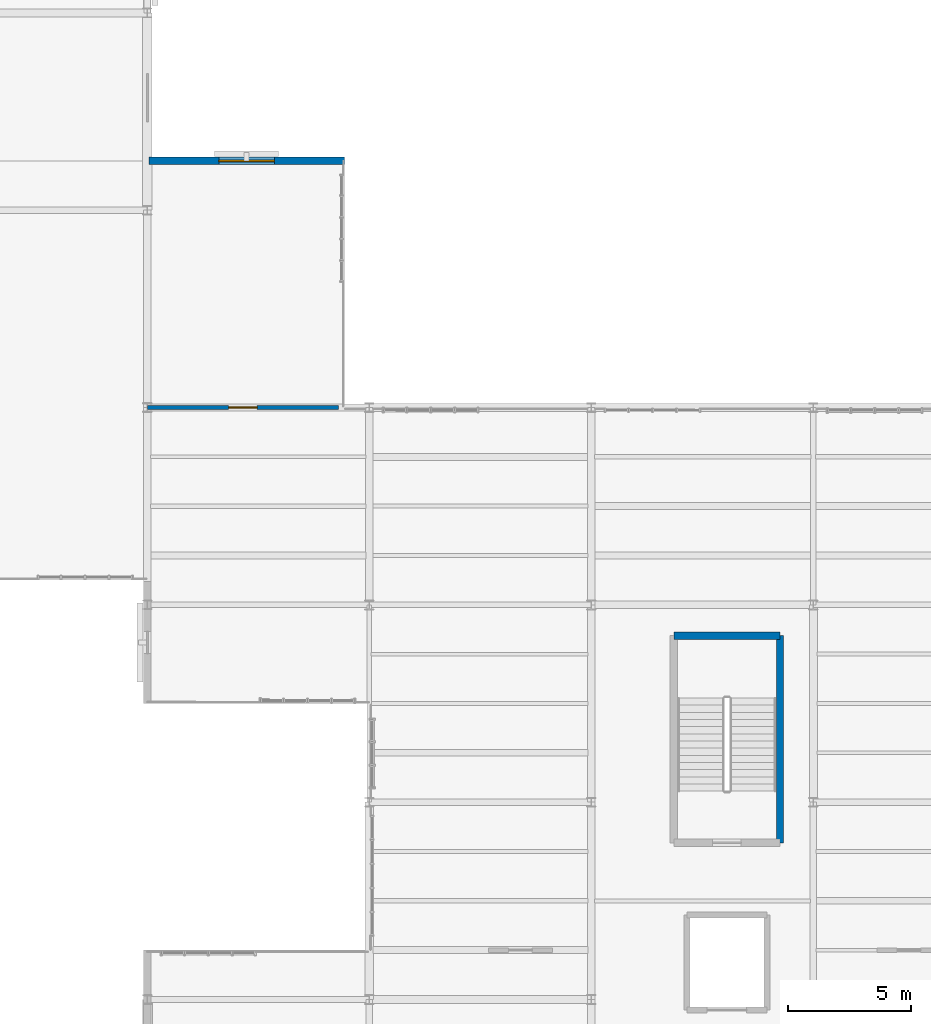
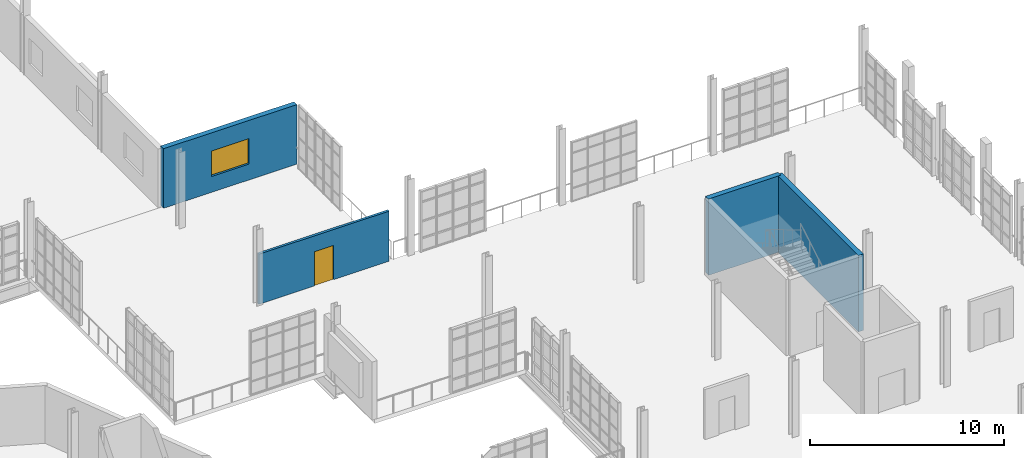
# One storey, part 101 of 122: 4 walls, 1 door, 1 window, 2 openings.
"""IFC4 building model written with IfcOpenShell, lengths in metres."""

import ifcopenshell
import ifcopenshell.guid

model = None  # the IFC model being written
_history = None  # IfcOwnerHistory: only IFC2X3 demands one
_inside = {}  # id of a spatial element -> (the spatial element, [elements in it])
_under = {}  # id of a project, library or spatial element -> (it, [spatial elements below it])
_declared = {}  # id of a project -> (the project, [libraries it declares])
_typed = {}  # id of a type object -> (the type object, [elements of that type])
_made_of = {}  # id of a material, layer set ... -> (it, [elements and type objects made of it])


def new_model(schema):
    """Start an empty IFC model of exactly this schema.

    Asked for "IFC4X3", IfcOpenShell would pick the latest addendum, in which some entities
    have other attributes; the version numbers below select the first issue.
    IFC2X3 requires an IfcOwnerHistory on every rooted entity: one is made here for all.
    """
    global model, _history
    if schema == "IFC4X3":
        model = ifcopenshell.file(schema_version=(4, 3, 0, 0))
    else:
        model = ifcopenshell.file(schema=schema)
    _inside.clear()
    _under.clear()
    _declared.clear()
    _typed.clear()
    _made_of.clear()
    _history = None
    if model.schema == "IFC2X3":
        org = make("IfcOrganization", Name="unknown")
        user = make(
            "IfcPersonAndOrganization",
            ThePerson=make("IfcPerson", FamilyName="unknown"),
            TheOrganization=org,
        )
        app = make(
            "IfcApplication",
            ApplicationDeveloper=org,
            Version="unknown",
            ApplicationFullName="unknown",
            ApplicationIdentifier="unknown",
        )
        _history = make(
            "IfcOwnerHistory",
            OwningUser=user,
            OwningApplication=app,
            ChangeAction="ADDED",
            CreationDate=0,
        )
    return model


def make(cls, **values):
    """One entity of the class cls with the attributes given. An attribute that is None is left unset."""
    return model.create_entity(
        cls, **{name: value for name, value in values.items() if value is not None}
    )


def rooted(cls, **values):
    """An entity with a GlobalId (a new one), such as an element, a storey or a relation."""
    return make(cls, GlobalId=ifcopenshell.guid.new(), OwnerHistory=_history, **values)


def si_unit(unit_type, name, prefix=None):
    """IfcSIUnit, for example si_unit("LENGTHUNIT", "METRE", prefix="MILLI")."""
    return make("IfcSIUnit", UnitType=unit_type, Prefix=prefix, Name=name)


def assignment(units):
    """IfcUnitAssignment: the units of a project."""
    return None if units is None else make("IfcUnitAssignment", Units=units)


def point(xyz):
    """IfcCartesianPoint."""
    return None if xyz is None else make("IfcCartesianPoint", Coordinates=xyz)


def direction(xyz):
    """IfcDirection."""
    return None if xyz is None else make("IfcDirection", DirectionRatios=xyz)


def frame(location, z_axis=None, x_axis=None):
    """IfcAxis2Placement3D, a coordinate frame: its origin and axes. An axis left out is left unset."""
    return make(
        "IfcAxis2Placement3D",
        Location=point(location),
        Axis=direction(z_axis),
        RefDirection=direction(x_axis),
    )


def frame_2d(location, x_axis=None):
    """IfcAxis2Placement2D, a coordinate frame in the plane: its origin and x axis."""
    return make(
        "IfcAxis2Placement2D", Location=point(location), RefDirection=direction(x_axis)
    )


def origin():
    """The frame at (0, 0, 0) with its axes left unset."""
    return frame((0.0, 0.0, 0.0))


def place(relative_to, where):
    """IfcLocalPlacement: puts the frame where relative to a parent placement (None: the world)."""
    return make(
        "IfcLocalPlacement", PlacementRelTo=relative_to, RelativePlacement=where
    )


def context(
    kind, dimensions, precision=None, world=None, true_north=None, identifier=None
):
    """IfcGeometricRepresentationContext, for example the 3D "Model" context."""
    return make(
        "IfcGeometricRepresentationContext",
        ContextIdentifier=identifier,
        ContextType=kind,
        CoordinateSpaceDimension=dimensions,
        Precision=precision,
        WorldCoordinateSystem=world,
        TrueNorth=true_north,
    )


def subcontext(parent, identifier, kind, view, scale=None):
    """IfcGeometricRepresentationSubContext, for example "Body" below "Model"."""
    return make(
        "IfcGeometricRepresentationSubContext",
        ContextIdentifier=identifier,
        ContextType=kind,
        ParentContext=parent,
        TargetScale=scale,
        TargetView=view,
    )


def project(units=None, contexts=None):
    """IfcProject with its units and contexts."""
    return rooted(
        "IfcProject",
        Name="project",
        RepresentationContexts=contexts,
        UnitsInContext=assignment(units),
    )


def spatial(cls, under=None, at=None, **own):
    """A site, building, storey or space (cls), placed at a placement, below another one or the project."""
    s = rooted(cls, ObjectPlacement=at, **own)
    if under is not None:
        _under.setdefault(under.id(), (under, []))[1].append(s)
    return s


def profile(cls, at=None, kind="AREA", **sizes):
    """A parametric profile (cls). Its sizes go by their IFC names, for example OverallWidth=200.0."""
    return make(cls, ProfileType=kind, Position=at, **sizes)


def rectangle(**sizes):
    """IfcRectangleProfileDef."""
    return profile("IfcRectangleProfileDef", **sizes)


def extrude(swept, where, along, depth):
    """IfcExtrudedAreaSolid: the profile swept, set in the frame where, extruded along a direction by depth."""
    return make(
        "IfcExtrudedAreaSolid",
        SweptArea=swept,
        Position=where,
        ExtrudedDirection=direction(along),
        Depth=depth,
    )


def shape(context_of_items, identifier, shape_type, items):
    """IfcShapeRepresentation: the items that make up one representation, for example the "Body"."""
    return make(
        "IfcShapeRepresentation",
        ContextOfItems=context_of_items,
        RepresentationIdentifier=identifier,
        RepresentationType=shape_type,
        Items=items,
    )


def material(Name=None, Category=None):
    """IfcMaterial."""
    return make("IfcMaterial", Name=Name, Category=Category)


def layer(
    of_material, thickness, ventilated=None, Name=None, Category=None, Priority=None
):
    """IfcMaterialLayer: one layer of a wall or slab, of a material (None: an air gap)."""
    return make(
        "IfcMaterialLayer",
        Material=of_material,
        LayerThickness=thickness,
        IsVentilated=ventilated,
        Name=Name,
        Category=Category,
        Priority=Priority,
    )


def layer_set(layers, Name=None):
    """IfcMaterialLayerSet."""
    return make("IfcMaterialLayerSet", MaterialLayers=layers, LayerSetName=Name)


def made_of(thing, what):
    """Note that an element or type object is made of a material, layer set ...; save() writes the relation."""
    if what is not None:
        _made_of.setdefault(what.id(), (what, []))[1].append(thing)
    return thing


def type_object(cls, material=None, **own):
    """A type object (cls), such as IfcWallType, which elements share."""
    return made_of(rooted(cls, **own), material)


def element(
    cls,
    number,
    at=None,
    inside=None,
    cuts=None,
    type_object=None,
    material=None,
    context=None,
    identifier="Body",
    shape_type=None,
    held_by="IfcProductDefinitionShape",
    body=None,
    shapes=None,
    **own,
):
    """One element of the class cls, such as IfcWall. Its Tag is "e" and its number.

    at: its placement. inside: the storey or other place that contains it. cuts: it is an
    opening in that element (IfcRelVoidsElement). A single representation is given by context,
    identifier, shape_type and body (its items); several are given by shapes. held_by: the class
    of the entity that holds the representations. save() writes the other relations.
    """
    e = rooted(cls, Tag="e%d" % number, ObjectPlacement=at, **own)
    if body is not None:
        shapes = [shape(context, identifier, shape_type, body)]
    if shapes is not None:
        e.Representation = make(held_by, Representations=shapes)
    if inside is not None:
        _inside.setdefault(inside.id(), (inside, []))[1].append(e)
    if cuts is not None:
        rooted(
            "IfcRelVoidsElement", RelatingBuildingElement=cuts, RelatedOpeningElement=e
        )
    if type_object is not None:
        _typed.setdefault(type_object.id(), (type_object, []))[1].append(e)
    return made_of(e, material)


def fill(opening, filler):
    """IfcRelFillsElement: the door or window that sits in an opening."""
    return rooted(
        "IfcRelFillsElement",
        RelatingOpeningElement=opening,
        RelatedBuildingElement=filler,
    )


def aggregate(whole, parts):
    """IfcRelAggregates: a whole, such as a stair, and the parts it consists of."""
    return rooted("IfcRelAggregates", RelatingObject=whole, RelatedObjects=parts)


def save(model, path):
    """Write the relations noted so far, then the file.

    IfcRelAggregates (storeys below a building ...), IfcRelContainedInSpatialStructure (elements
    in a storey), IfcRelDefinesByType, IfcRelAssociatesMaterial and IfcRelDeclares: one each for
    every whole, place, type object, material and project.
    """
    for whole, parts in _under.values():
        aggregate(whole, parts)
    for where, things in _inside.values():
        rooted(
            "IfcRelContainedInSpatialStructure",
            RelatedElements=things,
            RelatingStructure=where,
        )
    for kind, things in _typed.values():
        rooted("IfcRelDefinesByType", RelatedObjects=things, RelatingType=kind)
    for what, things in _made_of.values():
        rooted("IfcRelAssociatesMaterial", RelatedObjects=things, RelatingMaterial=what)
    for by, libraries in _declared.values():
        rooted("IfcRelDeclares", RelatingContext=by, RelatedDefinitions=libraries)
    model.write(path)


model = new_model("IFC4")

# Units and contexts
model_context = context("Model", 3, precision=1e-05, world=origin(), true_north=direction((0.0, 1.0)))
body_context = subcontext(model_context, "Body", "Model", "MODEL_VIEW")
ifc_project = project(units=[si_unit("LENGTHUNIT", "METRE"), si_unit("AREAUNIT", "SQUARE_METRE"), si_unit("VOLUMEUNIT", "CUBIC_METRE"), si_unit("PLANEANGLEUNIT", "RADIAN"), si_unit("MASSUNIT", "GRAM", prefix="KILO"), si_unit("THERMODYNAMICTEMPERATUREUNIT", "KELVIN"), si_unit("POWERUNIT", "WATT")], contexts=[model_context])

# Site, building, storey
site_placement = place(None, origin())
site = spatial("IfcSite", under=ifc_project, at=site_placement, CompositionType="ELEMENT")
building_placement = place(site_placement, origin())
building = spatial("IfcBuilding", under=site, at=building_placement, Name="Zelmaris Science Centre", CompositionType="ELEMENT")
storey_placement = place(building_placement, frame((0.0, 0.0, 10.800048828125)))
storey = spatial("IfcBuildingStorey", under=building, at=storey_placement, Name="L02", CompositionType="ELEMENT", Elevation=10.800048828125)

# Walls
ifc_material_1 = material(Name="Concrete C40/50", Category="concrete")
ifc_layer_1 = layer(ifc_material_1, 0.300048828125, Name="Concrete C40/50")
ifc_layer_set_1 = layer_set([ifc_layer_1], Name="Concrete C40/50")
wall_type_1 = type_object("IfcWallType", Name="Core Shear Wall CW-S1 300mm", PredefinedType="SOLIDWALL", material=ifc_layer_set_1)
wall_1_placement = place(storey_placement, frame((133.64990234375, 38.35009765625, 0.0), z_axis=(0.0, 0.0, 1.0), x_axis=(0.0, 1.0, 0.0)))
element("IfcWall", 1, at=wall_1_placement, inside=storey, type_object=wall_type_1, Name="L02 ST-5 core shear wall east", PredefinedType="SOLIDWALL", context=body_context, shape_type="SweptSolid", body=[
    extrude(rectangle(XDim=8.39990234375, YDim=0.300048828125, at=frame_2d((4.199951171875, 0.0))), origin(), (0.0, 0.0, 1.0), 4.800048828125),
])
wall_2_placement = place(storey_placement, frame((133.64990234375, 46.75, 0.0), z_axis=(0.0, 0.0, 1.0), x_axis=(-1.0, 0.0, 0.0)))
element("IfcWall", 2, at=wall_2_placement, inside=storey, type_object=wall_type_1, Name="L02 ST-5 core shear wall far", PredefinedType="SOLIDWALL", context=body_context, shape_type="SweptSolid", body=[
    extrude(rectangle(XDim=4.2998046875, YDim=0.300048828125, at=frame_2d((2.14990234375, 0.0))), origin(), (0.0, 0.0, 1.0), 4.800048828125),
])

# Wall, opening, window
ifc_material_2 = material(Name="Precast concrete C40/50", Category="concrete")
ifc_layer_2 = layer(ifc_material_2, 0.300048828125, Name="Precast concrete C40/50")
ifc_layer_set_2 = layer_set([ifc_layer_2], Name="Precast concrete C40/50")
wall_type_2 = type_object("IfcWallType", Name="Exterior Wall EW-04 300mm", PredefinedType="SOLIDWALL", material=ifc_layer_set_2)
wall_3_placement = place(storey_placement, frame((108.06005859375, 66.0, 0.0), z_axis=(0.0, 0.0, 1.0), x_axis=(1.0, 0.0, 0.0)))
wall_3 = element("IfcWall", 3, at=wall_3_placement, inside=storey, type_object=wall_type_2, Name="L02 Exterior wall 87", PredefinedType="SOLIDWALL", context=body_context, shape_type="SweptSolid", body=[
    extrude(rectangle(XDim=7.93994140625, YDim=0.300048828125, at=frame_2d((3.969970703125, 0.0))), origin(), (0.0, 0.0, 1.0), 3.742919921875),
])
opening_1_placement = place(wall_3_placement, frame((2.844970703125, 0.0, 1.0)))
opening_1 = element("IfcOpeningElement", 4, at=opening_1_placement, cuts=wall_3, Name="Opening W-17", PredefinedType="OPENING", context=body_context, shape_type="SweptSolid", body=[
    extrude(rectangle(XDim=2.25, YDim=1.60009765625, at=frame_2d((1.125, 0.800048828125))), frame((0.0, 0.159912109375, 0.0), z_axis=(0.0, -1.0, 0.0), x_axis=(1.0, 0.0, 0.0)), (0.0, 0.0, 1.0), 0.320068359375),
])
ifc_material_3 = material(Name="Laminated hurricane-rated low-E insulated glazing", Category="glass")
window_type = type_object("IfcWindowType", Name="Window W-17 2250x1600", PartitioningType="SINGLE_PANEL", PredefinedType="WINDOW", material=ifc_material_3)
window_placement = place(opening_1_placement, origin())
window = element("IfcWindow", 5, at=window_placement, inside=storey, type_object=window_type, Name="L02 Facade window 41", OverallHeight=1.60009765625, OverallWidth=2.25, PartitioningType="SINGLE_PANEL", PredefinedType="WINDOW", context=body_context, shape_type="SweptSolid", body=[
    extrude(rectangle(XDim=2.25, YDim=1.60009765625, at=frame_2d((1.125, 0.800048828125))), frame((0.0, 0.030029296875, 0.0), z_axis=(0.0, -1.0, 0.0), x_axis=(1.0, 0.0, 0.0)), (0.0, 0.0, 1.0), 0.06005859375),
])
fill(opening_1, window)

# Wall, opening, door
ifc_material_4 = material(Name="Fire-rated gypsum board on steel studs", Category="steel")
ifc_layer_3 = layer(ifc_material_4, 0.14990234375, Name="Fire-rated gypsum board on steel studs")
ifc_layer_set_3 = layer_set([ifc_layer_3], Name="Fire-rated gypsum board on steel studs")
wall_type_3 = type_object("IfcWallType", Name="Interior Wall PT-01 150mm", PredefinedType="PARTITIONING", material=ifc_layer_set_3)
wall_4_placement = place(storey_placement, frame((108.0, 56.0, 0.0), z_axis=(0.0, 0.0, 1.0), x_axis=(1.0, 0.0, 0.0)))
wall_4 = element("IfcWall", 6, at=wall_4_placement, inside=storey, type_object=wall_type_3, Name="L02 STEM Teacher Seminar Room partition 52", PredefinedType="PARTITIONING", context=body_context, shape_type="SweptSolid", body=[
    extrude(rectangle(XDim=7.75, YDim=0.14990234375, at=frame_2d((3.875, 0.0))), origin(), (0.0, 0.0, 1.0), 3.14990234375),
])
opening_2_placement = place(wall_4_placement, frame((3.300048828125, 0.0, 0.0)))
opening_2 = element("IfcOpeningElement", 7, at=opening_2_placement, cuts=wall_4, Name="Opening D-IN12", PredefinedType="OPENING", context=body_context, shape_type="SweptSolid", body=[
    extrude(rectangle(XDim=1.14990234375, YDim=2.14990234375, at=frame_2d((0.574951171875, 1.074951171875))), frame((0.0, 0.0849609375, 0.0), z_axis=(0.0, -1.0, 0.0), x_axis=(1.0, 0.0, 0.0)), (0.0, 0.0, 1.0), 0.169921875),
])
ifc_material_5 = material(Name="Solid tropical tzalam hardwood", Category="wood")
door_type = type_object("IfcDoorType", Name="Interior Door D-IN12 1150x2150", OperationType="NOTDEFINED", PredefinedType="DOOR", material=ifc_material_5)
door_placement = place(opening_2_placement, origin())
door = element("IfcDoor", 8, at=door_placement, inside=storey, type_object=door_type, Name="L02 STEM Teacher Seminar Room door", OperationType="SINGLE_SWING_LEFT", OverallHeight=2.14990234375, OverallWidth=1.14990234375, PredefinedType="DOOR", context=body_context, shape_type="SweptSolid", body=[
    extrude(rectangle(XDim=1.14990234375, YDim=2.14990234375, at=frame_2d((0.574951171875, 1.074951171875))), frame((0.0, 0.02490234375, 0.0), z_axis=(0.0, -1.0, 0.0), x_axis=(1.0, 0.0, 0.0)), (0.0, 0.0, 1.0), 0.050048828125),
])
fill(opening_2, door)

save(model, "model.ifc")
